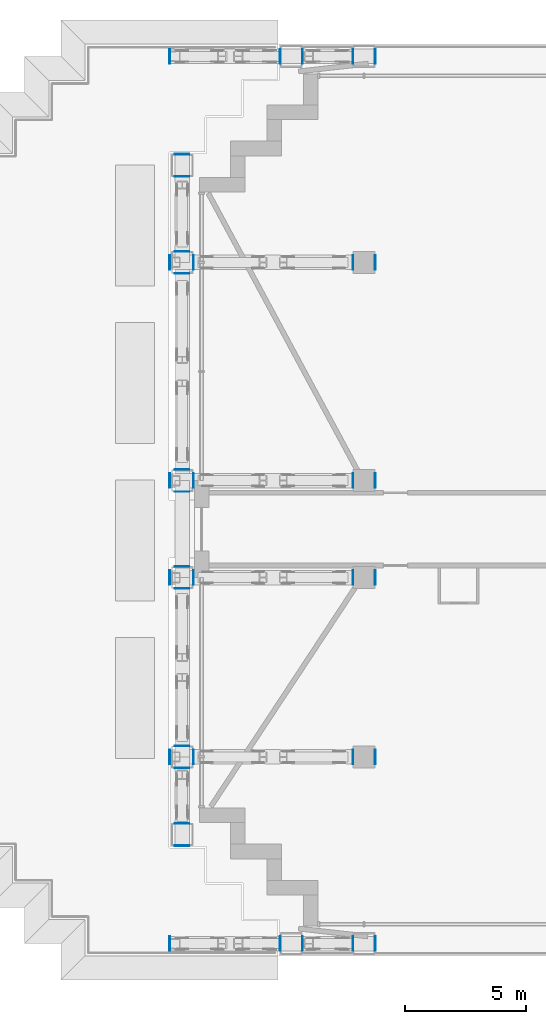
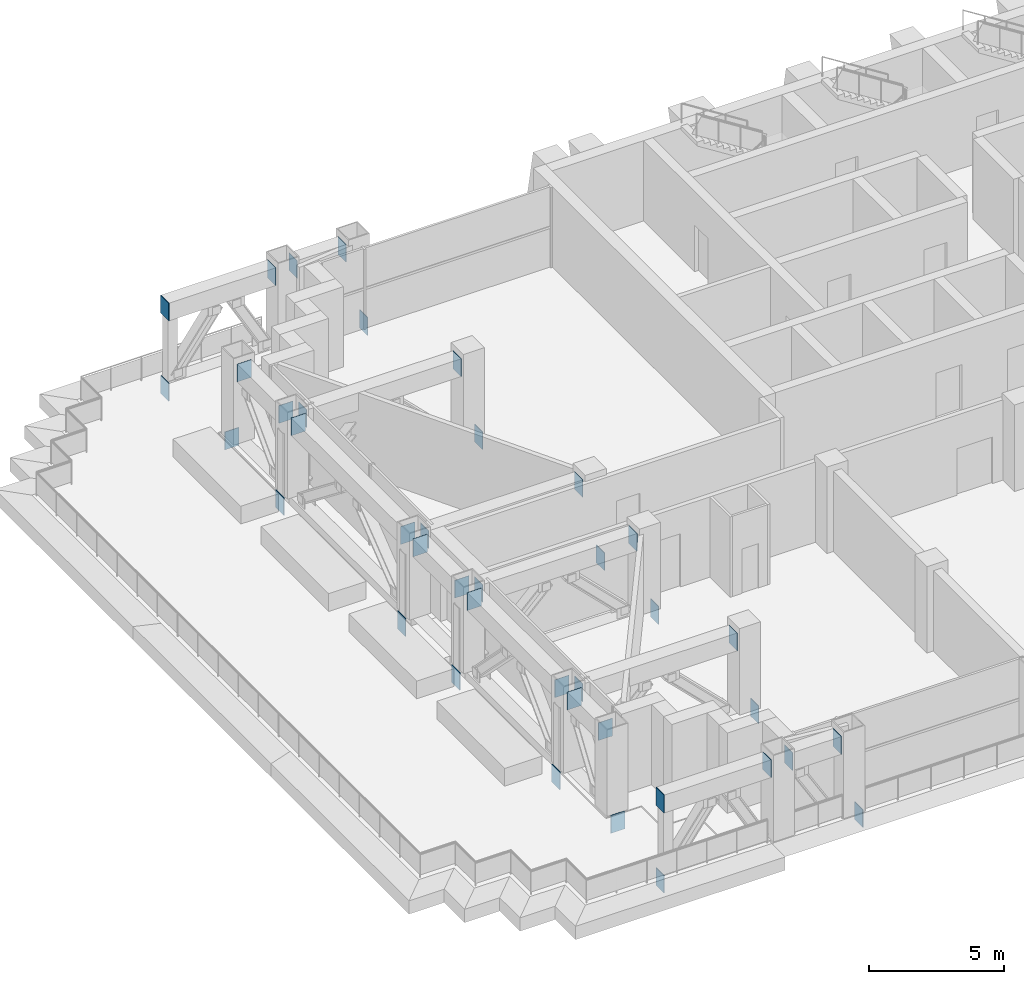
# One storey, part 11 of 19: 40 discrete accessories.
"""IFC4 building model written with IfcOpenShell, lengths in metres."""

from ifc_helpers import new_model, si_unit, direction, frame, origin, origin_2d, place, context, subcontext, project, spatial, rectangle, extrude, element, save


model = new_model("IFC4")

# Units and contexts
model_context = context("Model", 3, precision=1e-05, world=origin(), true_north=direction((0.0, 1.0)))
body_context = subcontext(model_context, "Body", "Model", "MODEL_VIEW")
ifc_project = project(units=[si_unit("LENGTHUNIT", "METRE"), si_unit("AREAUNIT", "SQUARE_METRE"), si_unit("VOLUMEUNIT", "CUBIC_METRE"), si_unit("PLANEANGLEUNIT", "RADIAN"), si_unit("MASSUNIT", "GRAM", prefix="KILO")], contexts=[model_context])

# Site, building, storey
site_placement = place(None, origin())
site = spatial("IfcSite", under=ifc_project, at=site_placement, CompositionType="ELEMENT")
building_placement = place(site_placement, origin())
building = spatial("IfcBuilding", under=site, at=building_placement, Name="Vidyagriha Tower", CompositionType="ELEMENT")
storey_placement = place(building_placement, frame((0.0, 0.0, 73.60009765625)))
storey = spatial("IfcBuildingStorey", under=building, at=storey_placement, Name="L18", CompositionType="ELEMENT", Elevation=73.60009765625)

# Discrete accessories
discrete_accessory_1_placement = place(storey_placement, frame((-30.014892578125, -17.10009765625, -0.80029296875), z_axis=(0.0, 0.0, 1.0), x_axis=(-1.0, 0.0, 0.0)))
element("IfcDiscreteAccessory", 1, at=discrete_accessory_1_placement, inside=storey, Name="Chord end plate", ObjectType="END PLATE", PredefinedType="USERDEFINED", context=body_context, shape_type="SweptSolid", body=[
    extrude(rectangle(XDim=0.030029296875, YDim=0.60009765625, at=origin_2d()), origin(), (0.0, 0.0, 1.0), 0.800048828125),
])
discrete_accessory_2_placement = place(storey_placement, frame((-21.534912109375, -17.10009765625, -0.80029296875)))
element("IfcDiscreteAccessory", 2, at=discrete_accessory_2_placement, inside=storey, Name="Chord end plate", ObjectType="END PLATE", PredefinedType="USERDEFINED", context=body_context, shape_type="SweptSolid", body=[
    extrude(rectangle(XDim=0.030029296875, YDim=0.60009765625, at=origin_2d()), origin(), (0.0, 0.0, 1.0), 0.800048828125),
])
for number, where, z_axis, x_axis, name in (
    (3, (-30.014892578125, -17.10009765625, 2.81982421875), (0.0, 0.0, 1.0), (-1.0, 0.0, 0.0), "Chord end plate"),
    (4, (-30.014892578125, -9.39990234375, -0.80029296875), (0.0, 0.0, 1.0), (-1.0, 0.0, 0.0), "Chord end plate"),
):
    element("IfcDiscreteAccessory", number, at=place(storey_placement, frame(where, z_axis=z_axis, x_axis=x_axis)), inside=storey, Name=name, ObjectType="END PLATE", PredefinedType="USERDEFINED", context=body_context, shape_type="SweptSolid", body=[
        extrude(rectangle(XDim=0.030029296875, YDim=0.60009765625, at=origin_2d()), origin(), (0.0, 0.0, 1.0), 0.800048828125),
    ])
discrete_accessory_3_placement = place(storey_placement, frame((-21.534912109375, -9.39990234375, -0.80029296875)))
element("IfcDiscreteAccessory", 5, at=discrete_accessory_3_placement, inside=storey, Name="Chord end plate", ObjectType="END PLATE", PredefinedType="USERDEFINED", context=body_context, shape_type="SweptSolid", body=[
    extrude(rectangle(XDim=0.030029296875, YDim=0.60009765625, at=origin_2d()), origin(), (0.0, 0.0, 1.0), 0.800048828125),
])
discrete_accessory_4_placement = place(storey_placement, frame((-30.014892578125, -2.0, -0.80029296875), z_axis=(0.0, 0.0, 1.0), x_axis=(-1.0, 0.0, 0.0)))
element("IfcDiscreteAccessory", 6, at=discrete_accessory_4_placement, inside=storey, Name="Chord end plate", ObjectType="END PLATE", PredefinedType="USERDEFINED", context=body_context, shape_type="SweptSolid", body=[
    extrude(rectangle(XDim=0.030029296875, YDim=0.60009765625, at=origin_2d()), origin(), (0.0, 0.0, 1.0), 0.800048828125),
])
discrete_accessory_5_placement = place(storey_placement, frame((-21.534912109375, -2.0, -0.80029296875)))
element("IfcDiscreteAccessory", 7, at=discrete_accessory_5_placement, inside=storey, Name="Chord end plate", ObjectType="END PLATE", PredefinedType="USERDEFINED", context=body_context, shape_type="SweptSolid", body=[
    extrude(rectangle(XDim=0.030029296875, YDim=0.60009765625, at=origin_2d()), origin(), (0.0, 0.0, 1.0), 0.800048828125),
])
discrete_accessory_6_placement = place(storey_placement, frame((-30.014892578125, 2.0, -0.80029296875), z_axis=(0.0, 0.0, 1.0), x_axis=(-1.0, 0.0, 0.0)))
element("IfcDiscreteAccessory", 8, at=discrete_accessory_6_placement, inside=storey, Name="Chord end plate", ObjectType="END PLATE", PredefinedType="USERDEFINED", context=body_context, shape_type="SweptSolid", body=[
    extrude(rectangle(XDim=0.030029296875, YDim=0.60009765625, at=origin_2d()), origin(), (0.0, 0.0, 1.0), 0.800048828125),
])
discrete_accessory_7_placement = place(storey_placement, frame((-21.534912109375, 2.0, -0.80029296875)))
element("IfcDiscreteAccessory", 9, at=discrete_accessory_7_placement, inside=storey, Name="Chord end plate", ObjectType="END PLATE", PredefinedType="USERDEFINED", context=body_context, shape_type="SweptSolid", body=[
    extrude(rectangle(XDim=0.030029296875, YDim=0.60009765625, at=origin_2d()), origin(), (0.0, 0.0, 1.0), 0.800048828125),
])
discrete_accessory_8_placement = place(storey_placement, frame((-30.014892578125, 11.0, -0.80029296875), z_axis=(0.0, 0.0, 1.0), x_axis=(-1.0, 0.0, 0.0)))
element("IfcDiscreteAccessory", 10, at=discrete_accessory_8_placement, inside=storey, Name="Chord end plate", ObjectType="END PLATE", PredefinedType="USERDEFINED", context=body_context, shape_type="SweptSolid", body=[
    extrude(rectangle(XDim=0.030029296875, YDim=0.60009765625, at=origin_2d()), origin(), (0.0, 0.0, 1.0), 0.800048828125),
])
discrete_accessory_9_placement = place(storey_placement, frame((-21.534912109375, 11.0, -0.80029296875)))
element("IfcDiscreteAccessory", 11, at=discrete_accessory_9_placement, inside=storey, Name="Chord end plate", ObjectType="END PLATE", PredefinedType="USERDEFINED", context=body_context, shape_type="SweptSolid", body=[
    extrude(rectangle(XDim=0.030029296875, YDim=0.60009765625, at=origin_2d()), origin(), (0.0, 0.0, 1.0), 0.800048828125),
])
discrete_accessory_10_placement = place(storey_placement, frame((-30.014892578125, 19.5, -0.80029296875), z_axis=(0.0, 0.0, 1.0), x_axis=(-1.0, 0.0, 0.0)))
element("IfcDiscreteAccessory", 12, at=discrete_accessory_10_placement, inside=storey, Name="Chord end plate", ObjectType="END PLATE", PredefinedType="USERDEFINED", context=body_context, shape_type="SweptSolid", body=[
    extrude(rectangle(XDim=0.030029296875, YDim=0.60009765625, at=origin_2d()), origin(), (0.0, 0.0, 1.0), 0.800048828125),
])
discrete_accessory_11_placement = place(storey_placement, frame((-21.534912109375, 19.5, -0.80029296875)))
element("IfcDiscreteAccessory", 13, at=discrete_accessory_11_placement, inside=storey, Name="Chord end plate", ObjectType="END PLATE", PredefinedType="USERDEFINED", context=body_context, shape_type="SweptSolid", body=[
    extrude(rectangle(XDim=0.030029296875, YDim=0.60009765625, at=origin_2d()), origin(), (0.0, 0.0, 1.0), 0.800048828125),
])
for number, where, z_axis, x_axis, name in (
    (14, (-30.014892578125, 19.5, 2.81982421875), (0.0, 0.0, 1.0), (-1.0, 0.0, 0.0), "Chord end plate"),
    (15, (-29.5, -13.06494140625, -0.80029296875), (0.0, 0.0, 1.0), (0.0, -1.0, 0.0), "Chord end plate"),
    (16, (-29.5, 15.465087890625, -0.80029296875), (0.0, 0.0, 1.0), (0.0, 1.0, 0.0), "Chord end plate"),
):
    element("IfcDiscreteAccessory", number, at=place(storey_placement, frame(where, z_axis=z_axis, x_axis=x_axis)), inside=storey, Name=name, ObjectType="END PLATE", PredefinedType="USERDEFINED", context=body_context, shape_type="SweptSolid", body=[
        extrude(rectangle(XDim=0.030029296875, YDim=0.60009765625, at=origin_2d()), origin(), (0.0, 0.0, 1.0), 0.800048828125),
    ])
discrete_accessory_12_placement = place(storey_placement, frame((-25.459716796875, -17.10009765625, 2.81982421875)))
element("IfcDiscreteAccessory", 17, at=discrete_accessory_12_placement, inside=storey, Name="End plate ASTM A572 Grade 50 20mm", ObjectType="END PLATE", PredefinedType="USERDEFINED", context=body_context, shape_type="SweptSolid", body=[
    extrude(rectangle(XDim=0.02001953125, YDim=0.60009765625, at=origin_2d()), origin(), (0.0, 0.0, 1.0), 0.800048828125),
])
discrete_accessory_13_placement = place(storey_placement, frame((-24.540283203125, -17.10009765625, 2.81982421875), z_axis=(0.0, 0.0, 1.0), x_axis=(-1.0, 0.0, 0.0)))
element("IfcDiscreteAccessory", 18, at=discrete_accessory_13_placement, inside=storey, Name="End plate ASTM A572 Grade 50 20mm", ObjectType="END PLATE", PredefinedType="USERDEFINED", context=body_context, shape_type="SweptSolid", body=[
    extrude(rectangle(XDim=0.02001953125, YDim=0.60009765625, at=origin_2d()), origin(), (0.0, 0.0, 1.0), 0.800048828125),
])
discrete_accessory_14_placement = place(storey_placement, frame((-22.459716796875, -17.10009765625, 2.81982421875)))
element("IfcDiscreteAccessory", 19, at=discrete_accessory_14_placement, inside=storey, Name="End plate ASTM A572 Grade 50 20mm", ObjectType="END PLATE", PredefinedType="USERDEFINED", context=body_context, shape_type="SweptSolid", body=[
    extrude(rectangle(XDim=0.02001953125, YDim=0.60009765625, at=origin_2d()), origin(), (0.0, 0.0, 1.0), 0.800048828125),
])
discrete_accessory_15_placement = place(storey_placement, frame((-29.040283203125, -9.39990234375, 2.81982421875), z_axis=(0.0, 0.0, 1.0), x_axis=(-1.0, 0.0, 0.0)))
element("IfcDiscreteAccessory", 20, at=discrete_accessory_15_placement, inside=storey, Name="End plate ASTM A572 Grade 50 20mm", ObjectType="END PLATE", PredefinedType="USERDEFINED", context=body_context, shape_type="SweptSolid", body=[
    extrude(rectangle(XDim=0.02001953125, YDim=0.60009765625, at=origin_2d()), origin(), (0.0, 0.0, 1.0), 0.800048828125),
])
discrete_accessory_16_placement = place(storey_placement, frame((-22.459716796875, -9.39990234375, 2.81982421875)))
element("IfcDiscreteAccessory", 21, at=discrete_accessory_16_placement, inside=storey, Name="End plate ASTM A572 Grade 50 20mm", ObjectType="END PLATE", PredefinedType="USERDEFINED", context=body_context, shape_type="SweptSolid", body=[
    extrude(rectangle(XDim=0.02001953125, YDim=0.60009765625, at=origin_2d()), origin(), (0.0, 0.0, 1.0), 0.800048828125),
])
discrete_accessory_17_placement = place(storey_placement, frame((-29.040283203125, -2.0, 2.81982421875), z_axis=(0.0, 0.0, 1.0), x_axis=(-1.0, 0.0, 0.0)))
element("IfcDiscreteAccessory", 22, at=discrete_accessory_17_placement, inside=storey, Name="End plate ASTM A572 Grade 50 20mm", ObjectType="END PLATE", PredefinedType="USERDEFINED", context=body_context, shape_type="SweptSolid", body=[
    extrude(rectangle(XDim=0.02001953125, YDim=0.60009765625, at=origin_2d()), origin(), (0.0, 0.0, 1.0), 0.800048828125),
])
discrete_accessory_18_placement = place(storey_placement, frame((-22.459716796875, -2.0, 2.81982421875)))
element("IfcDiscreteAccessory", 23, at=discrete_accessory_18_placement, inside=storey, Name="End plate ASTM A572 Grade 50 20mm", ObjectType="END PLATE", PredefinedType="USERDEFINED", context=body_context, shape_type="SweptSolid", body=[
    extrude(rectangle(XDim=0.02001953125, YDim=0.60009765625, at=origin_2d()), origin(), (0.0, 0.0, 1.0), 0.800048828125),
])
discrete_accessory_19_placement = place(storey_placement, frame((-29.040283203125, 2.0, 2.81982421875), z_axis=(0.0, 0.0, 1.0), x_axis=(-1.0, 0.0, 0.0)))
element("IfcDiscreteAccessory", 24, at=discrete_accessory_19_placement, inside=storey, Name="End plate ASTM A572 Grade 50 20mm", ObjectType="END PLATE", PredefinedType="USERDEFINED", context=body_context, shape_type="SweptSolid", body=[
    extrude(rectangle(XDim=0.02001953125, YDim=0.60009765625, at=origin_2d()), origin(), (0.0, 0.0, 1.0), 0.800048828125),
])
discrete_accessory_20_placement = place(storey_placement, frame((-22.459716796875, 2.0, 2.81982421875)))
element("IfcDiscreteAccessory", 25, at=discrete_accessory_20_placement, inside=storey, Name="End plate ASTM A572 Grade 50 20mm", ObjectType="END PLATE", PredefinedType="USERDEFINED", context=body_context, shape_type="SweptSolid", body=[
    extrude(rectangle(XDim=0.02001953125, YDim=0.60009765625, at=origin_2d()), origin(), (0.0, 0.0, 1.0), 0.800048828125),
])
discrete_accessory_21_placement = place(storey_placement, frame((-29.040283203125, 11.0, 2.81982421875), z_axis=(0.0, 0.0, 1.0), x_axis=(-1.0, 0.0, 0.0)))
element("IfcDiscreteAccessory", 26, at=discrete_accessory_21_placement, inside=storey, Name="End plate ASTM A572 Grade 50 20mm", ObjectType="END PLATE", PredefinedType="USERDEFINED", context=body_context, shape_type="SweptSolid", body=[
    extrude(rectangle(XDim=0.02001953125, YDim=0.60009765625, at=origin_2d()), origin(), (0.0, 0.0, 1.0), 0.800048828125),
])
for number, where, name in (
    (27, (-22.459716796875, 11.0, 2.81982421875), "End plate ASTM A572 Grade 50 20mm"),
    (28, (-25.459716796875, 19.5, 2.81982421875), "End plate ASTM A572 Grade 50 20mm"),
):
    element("IfcDiscreteAccessory", number, at=place(storey_placement, frame(where)), inside=storey, Name=name, ObjectType="END PLATE", PredefinedType="USERDEFINED", context=body_context, shape_type="SweptSolid", body=[
        extrude(rectangle(XDim=0.02001953125, YDim=0.60009765625, at=origin_2d()), origin(), (0.0, 0.0, 1.0), 0.800048828125),
    ])
discrete_accessory_22_placement = place(storey_placement, frame((-24.540283203125, 19.5, 2.81982421875), z_axis=(0.0, 0.0, 1.0), x_axis=(-1.0, 0.0, 0.0)))
element("IfcDiscreteAccessory", 29, at=discrete_accessory_22_placement, inside=storey, Name="End plate ASTM A572 Grade 50 20mm", ObjectType="END PLATE", PredefinedType="USERDEFINED", context=body_context, shape_type="SweptSolid", body=[
    extrude(rectangle(XDim=0.02001953125, YDim=0.60009765625, at=origin_2d()), origin(), (0.0, 0.0, 1.0), 0.800048828125),
])
discrete_accessory_23_placement = place(storey_placement, frame((-22.459716796875, 19.5, 2.81982421875)))
element("IfcDiscreteAccessory", 30, at=discrete_accessory_23_placement, inside=storey, Name="End plate ASTM A572 Grade 50 20mm", ObjectType="END PLATE", PredefinedType="USERDEFINED", context=body_context, shape_type="SweptSolid", body=[
    extrude(rectangle(XDim=0.02001953125, YDim=0.60009765625, at=origin_2d()), origin(), (0.0, 0.0, 1.0), 0.800048828125),
])
for number, where, z_axis, x_axis, name in (
    (31, (-29.5, -12.14013671875, 2.81982421875), (0.0, 0.0, 1.0), (0.0, -1.0, 0.0), "End plate ASTM A572 Grade 50 20mm"),
    (32, (-29.5, -9.85986328125, 2.81982421875), (0.0, 0.0, 1.0), (0.0, 1.0, 0.0), "End plate ASTM A572 Grade 50 20mm"),
    (33, (-29.5, -8.940185546875, 2.81982421875), (0.0, 0.0, 1.0), (0.0, -1.0, 0.0), "End plate ASTM A572 Grade 50 20mm"),
    (34, (-29.5, -2.459716796875, 2.81982421875), (0.0, 0.0, 1.0), (0.0, 1.0, 0.0), "End plate ASTM A572 Grade 50 20mm"),
    (35, (-29.5, -1.540283203125, 2.81982421875), (0.0, 0.0, 1.0), (0.0, -1.0, 0.0), "End plate ASTM A572 Grade 50 20mm"),
    (36, (-29.5, 1.540283203125, 2.81982421875), (0.0, 0.0, 1.0), (0.0, 1.0, 0.0), "End plate ASTM A572 Grade 50 20mm"),
    (37, (-29.5, 2.459716796875, 2.81982421875), (0.0, 0.0, 1.0), (0.0, -1.0, 0.0), "End plate ASTM A572 Grade 50 20mm"),
    (38, (-29.5, 10.540283203125, 2.81982421875), (0.0, 0.0, 1.0), (0.0, 1.0, 0.0), "End plate ASTM A572 Grade 50 20mm"),
    (39, (-29.5, 11.459716796875, 2.81982421875), (0.0, 0.0, 1.0), (0.0, -1.0, 0.0), "End plate ASTM A572 Grade 50 20mm"),
    (40, (-29.5, 14.540283203125, 2.81982421875), (0.0, 0.0, 1.0), (0.0, 1.0, 0.0), "End plate ASTM A572 Grade 50 20mm"),
):
    element("IfcDiscreteAccessory", number, at=place(storey_placement, frame(where, z_axis=z_axis, x_axis=x_axis)), inside=storey, Name=name, ObjectType="END PLATE", PredefinedType="USERDEFINED", context=body_context, shape_type="SweptSolid", body=[
        extrude(rectangle(XDim=0.02001953125, YDim=0.60009765625, at=origin_2d()), origin(), (0.0, 0.0, 1.0), 0.800048828125),
    ])

save(model, "model.ifc")
